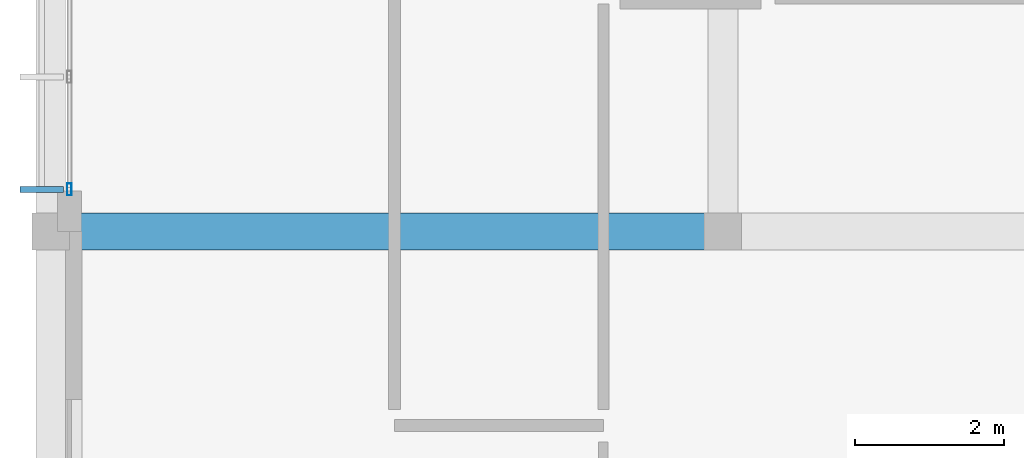
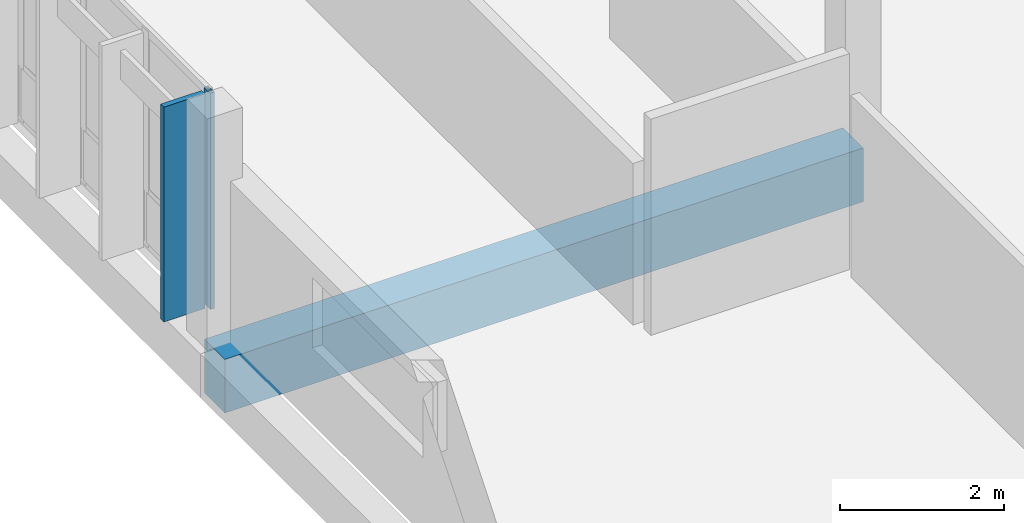
# One storey, part 4 of 24: 2 members, 1 beam, 1 element without a shape of its own.
"""IFC4 building model written with IfcOpenShell, lengths in metres."""

from ifc_helpers import new_model, si_unit, direction, frame, origin, origin_2d, place, context, subcontext, project, spatial, rectangle, hollow_rectangle, extrude, material, material_profile, profile_set, type_object, element, aggregate, save


model = new_model("IFC4")

# Units and contexts
model_context = context("Model", 3, precision=1e-05, world=origin(), true_north=direction((0.0, 1.0)))
body_context = subcontext(model_context, "Body", "Model", "MODEL_VIEW")
ifc_project = project(units=[si_unit("LENGTHUNIT", "METRE"), si_unit("AREAUNIT", "SQUARE_METRE"), si_unit("VOLUMEUNIT", "CUBIC_METRE"), si_unit("PLANEANGLEUNIT", "RADIAN"), si_unit("MASSUNIT", "GRAM", prefix="KILO")], contexts=[model_context])

# Site, building, storey
site_placement = place(None, origin())
site = spatial("IfcSite", under=ifc_project, at=site_placement, CompositionType="ELEMENT")
building_placement = place(site_placement, origin())
building = spatial("IfcBuilding", under=site, at=building_placement, Name="Chiffa Square Polytechnic", CompositionType="ELEMENT")
storey_placement = place(building_placement, frame((0.0, 0.0, 26.39990234375)))
storey = spatial("IfcBuildingStorey", under=building, at=storey_placement, Name="L06", CompositionType="ELEMENT", Elevation=26.39990234375)

# Beam
ifc_material_1 = material(Name="Concrete C40/50", Category="concrete")
ifc_material_profile_1 = material_profile(ifc_material_1, rectangle(XDim=0.5, YDim=0.800048828125, at=origin_2d()), Name="RC 500x800")
ifc_profile_set_1 = profile_set([ifc_material_profile_1], Name="Concrete C40/50")
beam_type = type_object("IfcBeamType", Name="BM-RC-500X800", PredefinedType="BEAM", material=ifc_profile_set_1)
beam_placement = place(storey_placement, frame((112.199951171875, 14.39990234375, -0.619873046875), z_axis=(1.0, 0.0, 0.0), x_axis=(0.0, 1.0, 0.0)))
element("IfcBeam", 1, at=beam_placement, inside=storey, type_object=beam_type, Name="Primary floor girder BM-V1-L06-X-1122-0144", PredefinedType="BEAM", context=body_context, shape_type="SweptSolid", body=[
    extrude(rectangle(XDim=0.5, YDim=0.800048828125, at=origin_2d()), origin(), (0.0, 0.0, 1.0), 9.0),
])

# Curtain wall, members
ifc_material_2 = material(Name="Aluminium EN AW-6060 T66 and glulam shading", Category="wood")
curtain_wall_type = type_object("IfcCurtainWallType", Name="CW-VERT-600X440", PredefinedType="USERDEFINED", material=ifc_material_2)
curtain_wall_placement = place(storey_placement, origin())
curtain_wall = element("IfcCurtainWall", 2, at=curtain_wall_placement, inside=storey, type_object=curtain_wall_type, Name="Curtain wall CW-V1-L06-145", ObjectType="CURTAIN WALL", PredefinedType="USERDEFINED")
ifc_material_3 = material(Name="Aluminium EN AW-6060 T66", Category="aluminium")
ifc_material_profile_2 = material_profile(ifc_material_3, hollow_rectangle(XDim=0.06005859375, YDim=0.159912109375, WallThickness=0.00390625, at=origin_2d()), Name="ALU 60x160x4")
ifc_profile_set_2 = profile_set([ifc_material_profile_2], Name="Aluminium EN AW-6060 T66")
member_type_1 = type_object("IfcMemberType", Name="CWM-ALU-65X150", PredefinedType="MULLION", material=ifc_profile_set_2)
member_1_placement = place(storey_placement, frame((112.449951171875, 14.965087890625, 0.0), z_axis=(0.0, 0.0, 1.0), x_axis=(1.0, 0.0, 0.0)))
member_1 = element("IfcMember", 3, at=member_1_placement, type_object=member_type_1, Name="Curtain wall mullion CW-V1-L06-145-M04", PredefinedType="MULLION", context=body_context, shape_type="SweptSolid", body=[
    extrude(hollow_rectangle(XDim=0.06005859375, YDim=0.159912109375, WallThickness=0.00390625, at=origin_2d()), origin(), (0.0, 0.0, 1.0), 3.22021484375),
])
ifc_material_4 = material(Name="Glulam GL28h", Category="wood")
ifc_material_profile_3 = material_profile(ifc_material_4, rectangle(XDim=0.080078125, YDim=0.580078125, at=origin_2d()), Name="GL28h 80x580")
ifc_profile_set_3 = profile_set([ifc_material_profile_3], Name="Glulam GL28h")
member_type_2 = type_object("IfcMemberType", Name="CWM-GL-80X580", PredefinedType="MULLION", material=ifc_profile_set_3)
member_2_placement = place(storey_placement, frame((112.077880859375, 14.965087890625, 0.010009765625), z_axis=(0.0, 0.0, 1.0), x_axis=(0.0, -1.0, 0.0)))
member_2 = element("IfcMember", 4, at=member_2_placement, type_object=member_type_2, Name="Exterior glulam solar fin CW-V1-L06-145-FN04", PredefinedType="MULLION", context=body_context, shape_type="SweptSolid", body=[
    extrude(rectangle(XDim=0.080078125, YDim=0.580078125, at=origin_2d()), origin(), (0.0, 0.0, 1.0), 3.2001953125),
])
aggregate(curtain_wall, [member_1, member_2])

save(model, "model.ifc")
